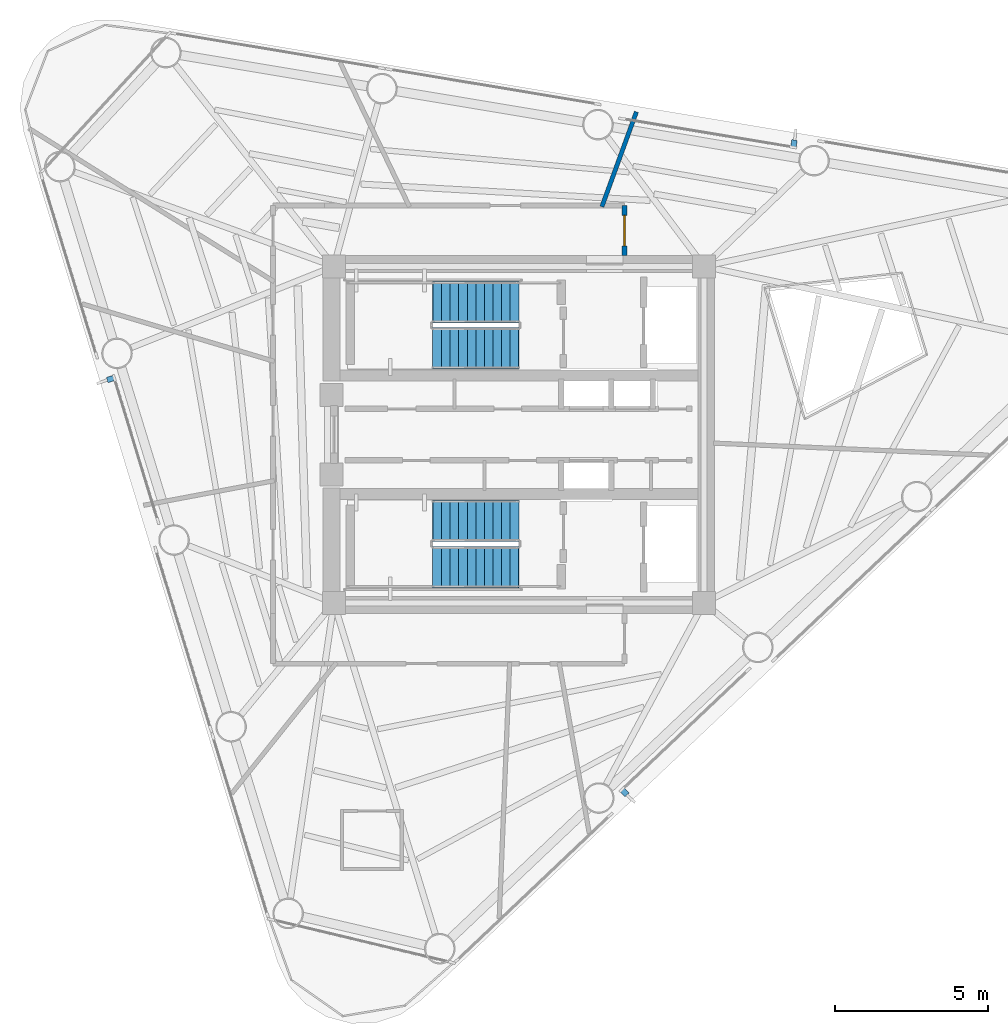
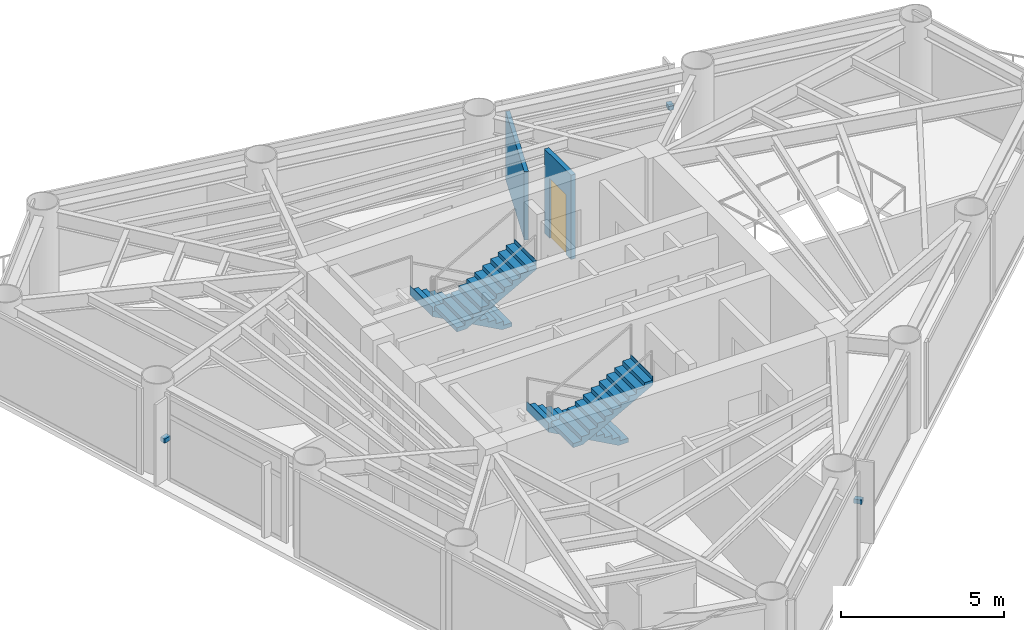
# One storey, part 7 of 9: 4 stair flights, 3 discrete accessories, 2 walls, 1 door, 1 opening, 2 elements without a shape of their own.
"""IFC4 building model written with IfcOpenShell, lengths in metres."""

import ifcopenshell
import ifcopenshell.guid

model = None  # the IFC model being written
_history = None  # IfcOwnerHistory: only IFC2X3 demands one
_inside = {}  # id of a spatial element -> (the spatial element, [elements in it])
_under = {}  # id of a project, library or spatial element -> (it, [spatial elements below it])
_declared = {}  # id of a project -> (the project, [libraries it declares])
_typed = {}  # id of a type object -> (the type object, [elements of that type])
_made_of = {}  # id of a material, layer set ... -> (it, [elements and type objects made of it])


def new_model(schema):
    """Start an empty IFC model of exactly this schema.

    Asked for "IFC4X3", IfcOpenShell would pick the latest addendum, in which some entities
    have other attributes; the version numbers below select the first issue.
    IFC2X3 requires an IfcOwnerHistory on every rooted entity: one is made here for all.
    """
    global model, _history
    if schema == "IFC4X3":
        model = ifcopenshell.file(schema_version=(4, 3, 0, 0))
    else:
        model = ifcopenshell.file(schema=schema)
    _inside.clear()
    _under.clear()
    _declared.clear()
    _typed.clear()
    _made_of.clear()
    _history = None
    if model.schema == "IFC2X3":
        org = make("IfcOrganization", Name="unknown")
        user = make(
            "IfcPersonAndOrganization",
            ThePerson=make("IfcPerson", FamilyName="unknown"),
            TheOrganization=org,
        )
        app = make(
            "IfcApplication",
            ApplicationDeveloper=org,
            Version="unknown",
            ApplicationFullName="unknown",
            ApplicationIdentifier="unknown",
        )
        _history = make(
            "IfcOwnerHistory",
            OwningUser=user,
            OwningApplication=app,
            ChangeAction="ADDED",
            CreationDate=0,
        )
    return model


def make(cls, **values):
    """One entity of the class cls with the attributes given. An attribute that is None is left unset."""
    return model.create_entity(
        cls, **{name: value for name, value in values.items() if value is not None}
    )


def rooted(cls, **values):
    """An entity with a GlobalId (a new one), such as an element, a storey or a relation."""
    return make(cls, GlobalId=ifcopenshell.guid.new(), OwnerHistory=_history, **values)


def si_unit(unit_type, name, prefix=None):
    """IfcSIUnit, for example si_unit("LENGTHUNIT", "METRE", prefix="MILLI")."""
    return make("IfcSIUnit", UnitType=unit_type, Prefix=prefix, Name=name)


def assignment(units):
    """IfcUnitAssignment: the units of a project."""
    return None if units is None else make("IfcUnitAssignment", Units=units)


def point(xyz):
    """IfcCartesianPoint."""
    return None if xyz is None else make("IfcCartesianPoint", Coordinates=xyz)


def direction(xyz):
    """IfcDirection."""
    return None if xyz is None else make("IfcDirection", DirectionRatios=xyz)


def frame(location, z_axis=None, x_axis=None):
    """IfcAxis2Placement3D, a coordinate frame: its origin and axes. An axis left out is left unset."""
    return make(
        "IfcAxis2Placement3D",
        Location=point(location),
        Axis=direction(z_axis),
        RefDirection=direction(x_axis),
    )


def frame_2d(location, x_axis=None):
    """IfcAxis2Placement2D, a coordinate frame in the plane: its origin and x axis."""
    return make(
        "IfcAxis2Placement2D", Location=point(location), RefDirection=direction(x_axis)
    )


def origin():
    """The frame at (0, 0, 0) with its axes left unset."""
    return frame((0.0, 0.0, 0.0))


def origin_2d():
    """The frame at (0, 0) in the plane with its x axis left unset."""
    return frame_2d((0.0, 0.0))


def place(relative_to, where):
    """IfcLocalPlacement: puts the frame where relative to a parent placement (None: the world)."""
    return make(
        "IfcLocalPlacement", PlacementRelTo=relative_to, RelativePlacement=where
    )


def context(
    kind, dimensions, precision=None, world=None, true_north=None, identifier=None
):
    """IfcGeometricRepresentationContext, for example the 3D "Model" context."""
    return make(
        "IfcGeometricRepresentationContext",
        ContextIdentifier=identifier,
        ContextType=kind,
        CoordinateSpaceDimension=dimensions,
        Precision=precision,
        WorldCoordinateSystem=world,
        TrueNorth=true_north,
    )


def subcontext(parent, identifier, kind, view, scale=None):
    """IfcGeometricRepresentationSubContext, for example "Body" below "Model"."""
    return make(
        "IfcGeometricRepresentationSubContext",
        ContextIdentifier=identifier,
        ContextType=kind,
        ParentContext=parent,
        TargetScale=scale,
        TargetView=view,
    )


def project(units=None, contexts=None):
    """IfcProject with its units and contexts."""
    return rooted(
        "IfcProject",
        Name="project",
        RepresentationContexts=contexts,
        UnitsInContext=assignment(units),
    )


def spatial(cls, under=None, at=None, **own):
    """A site, building, storey or space (cls), placed at a placement, below another one or the project."""
    s = rooted(cls, ObjectPlacement=at, **own)
    if under is not None:
        _under.setdefault(under.id(), (under, []))[1].append(s)
    return s


def polyline(points):
    """IfcPolyline through the points."""
    return make("IfcPolyline", Points=[point(p) for p in points])


def profile(cls, at=None, kind="AREA", **sizes):
    """A parametric profile (cls). Its sizes go by their IFC names, for example OverallWidth=200.0."""
    return make(cls, ProfileType=kind, Position=at, **sizes)


def rectangle(**sizes):
    """IfcRectangleProfileDef."""
    return profile("IfcRectangleProfileDef", **sizes)


def outline(outer, holes=None, kind="AREA"):
    """IfcArbitraryClosedProfileDef: a profile drawn as a closed curve; with holes, ...WithVoids."""
    if holes is None:
        return make("IfcArbitraryClosedProfileDef", ProfileType=kind, OuterCurve=outer)
    return make(
        "IfcArbitraryProfileDefWithVoids",
        ProfileType=kind,
        OuterCurve=outer,
        InnerCurves=holes,
    )


def extrude(swept, where, along, depth):
    """IfcExtrudedAreaSolid: the profile swept, set in the frame where, extruded along a direction by depth."""
    return make(
        "IfcExtrudedAreaSolid",
        SweptArea=swept,
        Position=where,
        ExtrudedDirection=direction(along),
        Depth=depth,
    )


def shape(context_of_items, identifier, shape_type, items):
    """IfcShapeRepresentation: the items that make up one representation, for example the "Body"."""
    return make(
        "IfcShapeRepresentation",
        ContextOfItems=context_of_items,
        RepresentationIdentifier=identifier,
        RepresentationType=shape_type,
        Items=items,
    )


def source(mapping_origin, context_of_items, identifier, shape_type, items):
    """IfcRepresentationMap: a shape defined once, which mapped items show again and again."""
    return make(
        "IfcRepresentationMap",
        MappingOrigin=mapping_origin,
        MappedRepresentation=shape(context_of_items, identifier, shape_type, items),
    )


def transform(
    local_origin,
    x_axis=None,
    y_axis=None,
    z_axis=None,
    scale=None,
    scale2=None,
    scale3=None,
    uniform=True,
):
    """IfcCartesianTransformationOperator3D, or its non-uniform kind. x_axis, y_axis, z_axis: its Axis1, 2, 3."""
    if uniform:
        return make(
            "IfcCartesianTransformationOperator3D",
            Axis1=direction(x_axis),
            Axis2=direction(y_axis),
            LocalOrigin=point(local_origin),
            Scale=scale,
            Axis3=direction(z_axis),
        )
    return make(
        "IfcCartesianTransformationOperator3DnonUniform",
        Axis1=direction(x_axis),
        Axis2=direction(y_axis),
        LocalOrigin=point(local_origin),
        Scale=scale,
        Axis3=direction(z_axis),
        Scale2=scale2,
        Scale3=scale3,
    )


def mapped(mapping_source, mapping_target):
    """IfcMappedItem: shows the shape of a source again, moved by a transform."""
    return make(
        "IfcMappedItem", MappingSource=mapping_source, MappingTarget=mapping_target
    )


def material(Name=None, Category=None):
    """IfcMaterial."""
    return make("IfcMaterial", Name=Name, Category=Category)


def layer(
    of_material, thickness, ventilated=None, Name=None, Category=None, Priority=None
):
    """IfcMaterialLayer: one layer of a wall or slab, of a material (None: an air gap)."""
    return make(
        "IfcMaterialLayer",
        Material=of_material,
        LayerThickness=thickness,
        IsVentilated=ventilated,
        Name=Name,
        Category=Category,
        Priority=Priority,
    )


def layer_set(layers, Name=None):
    """IfcMaterialLayerSet."""
    return make("IfcMaterialLayerSet", MaterialLayers=layers, LayerSetName=Name)


def made_of(thing, what):
    """Note that an element or type object is made of a material, layer set ...; save() writes the relation."""
    if what is not None:
        _made_of.setdefault(what.id(), (what, []))[1].append(thing)
    return thing


def type_object(cls, material=None, **own):
    """A type object (cls), such as IfcWallType, which elements share."""
    return made_of(rooted(cls, **own), material)


def element(
    cls,
    number,
    at=None,
    inside=None,
    cuts=None,
    type_object=None,
    material=None,
    context=None,
    identifier="Body",
    shape_type=None,
    held_by="IfcProductDefinitionShape",
    body=None,
    shapes=None,
    **own,
):
    """One element of the class cls, such as IfcWall. Its Tag is "e" and its number.

    at: its placement. inside: the storey or other place that contains it. cuts: it is an
    opening in that element (IfcRelVoidsElement). A single representation is given by context,
    identifier, shape_type and body (its items); several are given by shapes. held_by: the class
    of the entity that holds the representations. save() writes the other relations.
    """
    e = rooted(cls, Tag="e%d" % number, ObjectPlacement=at, **own)
    if body is not None:
        shapes = [shape(context, identifier, shape_type, body)]
    if shapes is not None:
        e.Representation = make(held_by, Representations=shapes)
    if inside is not None:
        _inside.setdefault(inside.id(), (inside, []))[1].append(e)
    if cuts is not None:
        rooted(
            "IfcRelVoidsElement", RelatingBuildingElement=cuts, RelatedOpeningElement=e
        )
    if type_object is not None:
        _typed.setdefault(type_object.id(), (type_object, []))[1].append(e)
    return made_of(e, material)


def fill(opening, filler):
    """IfcRelFillsElement: the door or window that sits in an opening."""
    return rooted(
        "IfcRelFillsElement",
        RelatingOpeningElement=opening,
        RelatedBuildingElement=filler,
    )


def aggregate(whole, parts):
    """IfcRelAggregates: a whole, such as a stair, and the parts it consists of."""
    return rooted("IfcRelAggregates", RelatingObject=whole, RelatedObjects=parts)


def save(model, path):
    """Write the relations noted so far, then the file.

    IfcRelAggregates (storeys below a building ...), IfcRelContainedInSpatialStructure (elements
    in a storey), IfcRelDefinesByType, IfcRelAssociatesMaterial and IfcRelDeclares: one each for
    every whole, place, type object, material and project.
    """
    for whole, parts in _under.values():
        aggregate(whole, parts)
    for where, things in _inside.values():
        rooted(
            "IfcRelContainedInSpatialStructure",
            RelatedElements=things,
            RelatingStructure=where,
        )
    for kind, things in _typed.values():
        rooted("IfcRelDefinesByType", RelatedObjects=things, RelatingType=kind)
    for what, things in _made_of.values():
        rooted("IfcRelAssociatesMaterial", RelatedObjects=things, RelatingMaterial=what)
    for by, libraries in _declared.values():
        rooted("IfcRelDeclares", RelatingContext=by, RelatedDefinitions=libraries)
    model.write(path)


model = new_model("IFC4")

# Units and contexts
model_context = context("Model", 3, precision=1e-05, world=origin(), true_north=direction((0.0, 1.0)))
body_context = subcontext(model_context, "Body", "Model", "MODEL_VIEW")
ifc_project = project(units=[si_unit("LENGTHUNIT", "METRE"), si_unit("AREAUNIT", "SQUARE_METRE"), si_unit("VOLUMEUNIT", "CUBIC_METRE"), si_unit("PLANEANGLEUNIT", "RADIAN"), si_unit("MASSUNIT", "GRAM", prefix="KILO")], contexts=[model_context])

# Site, building, storey
site_placement = place(None, origin())
site = spatial("IfcSite", under=ifc_project, at=site_placement, CompositionType="ELEMENT")
building_placement = place(site_placement, origin())
building = spatial("IfcBuilding", under=site, at=building_placement, Name="Yunling Apex Tower", CompositionType="ELEMENT")
storey_placement = place(building_placement, frame((0.0, 0.0, 249.050048828125)))
storey = spatial("IfcBuildingStorey", under=building, at=storey_placement, Name="L61", CompositionType="ELEMENT", Elevation=249.050048828125)

# Wall, opening, door
ifc_material_1 = material(Name="Gypsum board acoustic partition")
ifc_layer_1 = layer(ifc_material_1, 0.159912109375)
ifc_layer_set_1 = layer_set([ifc_layer_1], Name="Gypsum board acoustic partition")
wall_type_1 = type_object("IfcWallType", Name="WL-PRT-1", PredefinedType="PARTITIONING", material=ifc_layer_set_1)
wall_1_placement = place(storey_placement, frame((3.449951171875, 7.489990234375, 0.0), z_axis=(0.0, 0.0, 1.0), x_axis=(0.0, -1.0, 0.0)))
wall_1 = element("IfcWall", 1, at=wall_1_placement, inside=storey, type_object=wall_type_1, Name="WL-CORR-L61-04", PredefinedType="PARTITIONING", context=body_context, shape_type="SweptSolid", body=[
    extrude(rectangle(XDim=1.639892578125, YDim=0.159912109375, at=frame_2d((0.81982421875, 0.0))), origin(), (0.0, 0.0, 1.0), 3.159912109375),
])
opening_placement = place(wall_1_placement, frame((0.320068359375, 0.0, 0.0)))
opening = element("IfcOpeningElement", 2, at=opening_placement, cuts=wall_1, Name="Opening DR-OFF-1", PredefinedType="OPENING", context=body_context, shape_type="SweptSolid", body=[
    extrude(rectangle(XDim=1.0, YDim=2.25, at=frame_2d((0.5, 1.125))), frame((0.0, 0.08984375, 0.0), z_axis=(0.0, -1.0, 0.0), x_axis=(1.0, 0.0, 0.0)), (0.0, 0.0, 1.0), 0.179931640625),
])
ifc_material_2 = material(Name="Bronze anodised aluminium", Category="aluminium")
door_type = type_object("IfcDoorType", Name="DR-OFF-1", OperationType="NOTDEFINED", PredefinedType="DOOR", material=ifc_material_2)
door_placement = place(opening_placement, origin())
door = element("IfcDoor", 3, at=door_placement, inside=storey, type_object=door_type, Name="L61 Residents Quiet Study Lounge Door", OperationType="SINGLE_SWING_RIGHT", OverallHeight=2.25, OverallWidth=1.0, PredefinedType="DOOR", context=body_context, shape_type="SweptSolid", body=[
    extrude(rectangle(XDim=1.0, YDim=2.25, at=frame_2d((0.5, 1.125))), frame((0.0, 0.02490234375, 0.0), z_axis=(0.0, -1.0, 0.0), x_axis=(1.0, 0.0, 0.0)), (0.0, 0.0, 1.0), 0.050048828125),
])
fill(opening, door)

# Wall
ifc_layer_2 = layer(ifc_material_1, 0.139892578125)
ifc_layer_set_2 = layer_set([ifc_layer_2], Name="Gypsum board acoustic partition")
wall_type_2 = type_object("IfcWallType", Name="WL-PRT-2", PredefinedType="PARTITIONING", material=ifc_layer_set_2)
wall_2_placement = place(storey_placement, frame((2.711669921875, 7.449951171875, 0.0), z_axis=(0.0, 0.0, 1.0), x_axis=(0.341974588874, 0.9397092, 0.0)))
element("IfcWall", 4, at=wall_2_placement, inside=storey, type_object=wall_type_2, Name="WL-RAD-L61-02", PredefinedType="PARTITIONING", context=body_context, shape_type="SweptSolid", body=[
    extrude(rectangle(XDim=3.3017578125, YDim=0.139892578125, at=frame_2d((1.65087890625, 0.0))), origin(), (0.0, 0.0, 1.0), 2.56494140625),
])

# Stair, stair flights
ifc_material_3 = material(Name="Concrete C40", Category="concrete")
stair_type = type_object("IfcStairType", Name="ST-TWR-3", PredefinedType="HALF_TURN_STAIR", material=ifc_material_3)
stair_1_placement = place(storey_placement, origin())
stair_1 = element("IfcStair", 5, at=stair_1_placement, inside=storey, type_object=stair_type, Name="L61 North Core Smokeproof Exit Stair ST-1", PredefinedType="HALF_TURN_STAIR")
stair_flight_type = type_object("IfcStairFlightType", Name="SFL-TWR-3", PredefinedType="STRAIGHT", material=ifc_material_3)
stair_flight_1_placement = place(storey_placement, frame((-0.010009765625, 4.330078125, 0.0), z_axis=(0.0, 0.0, 1.0), x_axis=(-1.0, 0.0, 0.0)))
stair_flight_1 = element("IfcStairFlight", 6, at=stair_flight_1_placement, type_object=stair_flight_type, Name="ST-1 flight 1", NumberOfRisers=11, NumberOfTreads=10, PredefinedType="STRAIGHT", RiserHeight=0.154545455, TreadLength=0.28, context=body_context, shape_type="SweptSolid", body=[
    extrude(outline(polyline([(-0.011962890625, 0.0), (-0.011962890625, 0.154541015625), (0.0, 0.154541015625), (0.280029296875, 0.154541015625), (0.280029296875, 0.30908203125), (0.56005859375, 0.30908203125), (0.56005859375, 0.463623046875), (0.840087890625, 0.463623046875), (0.840087890625, 0.6181640625), (1.1201171875, 0.6181640625), (1.1201171875, 0.772705078125), (1.39990234375, 0.772705078125), (1.39990234375, 0.92724609375), (1.679931640625, 0.92724609375), (1.679931640625, 1.081787109375), (1.9599609375, 1.081787109375), (1.9599609375, 1.236328125), (2.239990234375, 1.236328125), (2.239990234375, 1.390869140625), (2.52001953125, 1.390869140625), (2.52001953125, 1.54541015625), (2.800048828125, 1.54541015625), (2.800048828125, 1.699951171875), (2.81201171875, 1.699951171875), (2.81201171875, 1.36279296875), (0.330810546875, 0.0), (-0.011962890625, 0.0)])), frame((0.0, 0.68017578125, 0.0), z_axis=(0.0, -1.0, 0.0), x_axis=(1.0, 0.0, 0.0)), (0.0, 0.0, 1.0), 1.360107421875),
])
stair_flight_2_placement = place(storey_placement, frame((-2.81005859375, 2.820068359375, 1.699951171875), z_axis=(0.0, 0.0, 1.0), x_axis=(1.0, 0.0, 0.0)))
stair_flight_2 = element("IfcStairFlight", 7, at=stair_flight_2_placement, type_object=stair_flight_type, Name="ST-1 flight 2", NumberOfRisers=11, NumberOfTreads=10, PredefinedType="STRAIGHT", RiserHeight=0.154545455, TreadLength=0.28, context=body_context, shape_type="SweptSolid", body=[
    extrude(outline(polyline([(-0.011962890625, 0.0), (-0.011962890625, 0.154541015625), (0.0, 0.154541015625), (0.280029296875, 0.154541015625), (0.280029296875, 0.30908203125), (0.56005859375, 0.30908203125), (0.56005859375, 0.463623046875), (0.840087890625, 0.463623046875), (0.840087890625, 0.6181640625), (1.1201171875, 0.6181640625), (1.1201171875, 0.772705078125), (1.39990234375, 0.772705078125), (1.39990234375, 0.92724609375), (1.679931640625, 0.92724609375), (1.679931640625, 1.081787109375), (1.9599609375, 1.081787109375), (1.9599609375, 1.236328125), (2.239990234375, 1.236328125), (2.239990234375, 1.390869140625), (2.52001953125, 1.390869140625), (2.52001953125, 1.54541015625), (2.800048828125, 1.54541015625), (2.800048828125, 1.699951171875), (2.81201171875, 1.699951171875), (2.81201171875, 1.36279296875), (0.330810546875, 0.0), (-0.011962890625, 0.0)])), frame((0.0, 0.68017578125, 0.0), z_axis=(0.0, -1.0, 0.0), x_axis=(1.0, 0.0, 0.0)), (0.0, 0.0, 1.0), 1.360107421875),
])
aggregate(stair_1, [stair_flight_1, stair_flight_2])

stair_2_placement = place(storey_placement, origin())
stair_2 = element("IfcStair", 8, at=stair_2_placement, inside=storey, type_object=stair_type, Name="L61 South Core Smokeproof Exit Stair ST-2", PredefinedType="HALF_TURN_STAIR")
stair_flight_3_placement = place(storey_placement, frame((-0.010009765625, -2.820068359375, 0.0), z_axis=(0.0, 0.0, 1.0), x_axis=(-1.0, 0.0, 0.0)))
stair_flight_3 = element("IfcStairFlight", 9, at=stair_flight_3_placement, type_object=stair_flight_type, Name="ST-2 flight 1", NumberOfRisers=11, NumberOfTreads=10, PredefinedType="STRAIGHT", RiserHeight=0.154545455, TreadLength=0.28, context=body_context, shape_type="SweptSolid", body=[
    extrude(outline(polyline([(-0.011962890625, 0.0), (-0.011962890625, 0.154541015625), (0.0, 0.154541015625), (0.280029296875, 0.154541015625), (0.280029296875, 0.30908203125), (0.56005859375, 0.30908203125), (0.56005859375, 0.463623046875), (0.840087890625, 0.463623046875), (0.840087890625, 0.6181640625), (1.1201171875, 0.6181640625), (1.1201171875, 0.772705078125), (1.39990234375, 0.772705078125), (1.39990234375, 0.92724609375), (1.679931640625, 0.92724609375), (1.679931640625, 1.081787109375), (1.9599609375, 1.081787109375), (1.9599609375, 1.236328125), (2.239990234375, 1.236328125), (2.239990234375, 1.390869140625), (2.52001953125, 1.390869140625), (2.52001953125, 1.54541015625), (2.800048828125, 1.54541015625), (2.800048828125, 1.699951171875), (2.81201171875, 1.699951171875), (2.81201171875, 1.36279296875), (0.330810546875, 0.0), (-0.011962890625, 0.0)])), frame((0.0, 0.68017578125, 0.0), z_axis=(0.0, -1.0, 0.0), x_axis=(1.0, 0.0, 0.0)), (0.0, 0.0, 1.0), 1.360107421875),
])
stair_flight_4_placement = place(storey_placement, frame((-2.81005859375, -4.330078125, 1.699951171875), z_axis=(0.0, 0.0, 1.0), x_axis=(1.0, 0.0, 0.0)))
stair_flight_4 = element("IfcStairFlight", 10, at=stair_flight_4_placement, type_object=stair_flight_type, Name="ST-2 flight 2", NumberOfRisers=11, NumberOfTreads=10, PredefinedType="STRAIGHT", RiserHeight=0.154545455, TreadLength=0.28, context=body_context, shape_type="SweptSolid", body=[
    extrude(outline(polyline([(-0.011962890625, 0.0), (-0.011962890625, 0.154541015625), (0.0, 0.154541015625), (0.280029296875, 0.154541015625), (0.280029296875, 0.30908203125), (0.56005859375, 0.30908203125), (0.56005859375, 0.463623046875), (0.840087890625, 0.463623046875), (0.840087890625, 0.6181640625), (1.1201171875, 0.6181640625), (1.1201171875, 0.772705078125), (1.39990234375, 0.772705078125), (1.39990234375, 0.92724609375), (1.679931640625, 0.92724609375), (1.679931640625, 1.081787109375), (1.9599609375, 1.081787109375), (1.9599609375, 1.236328125), (2.239990234375, 1.236328125), (2.239990234375, 1.390869140625), (2.52001953125, 1.390869140625), (2.52001953125, 1.54541015625), (2.800048828125, 1.54541015625), (2.800048828125, 1.699951171875), (2.81201171875, 1.699951171875), (2.81201171875, 1.36279296875), (0.330810546875, 0.0), (-0.011962890625, 0.0)])), frame((0.0, 0.68017578125, 0.0), z_axis=(0.0, -1.0, 0.0), x_axis=(1.0, 0.0, 0.0)), (0.0, 0.0, 1.0), 1.360107421875),
])
aggregate(stair_2, [stair_flight_3, stair_flight_4])

# Discrete accessories
ifc_material_4 = material(Name="Steel Q355B", Category="steel")
discrete_accessory_type = type_object("IfcDiscreteAccessoryType", Name="BK-FIN-1", PredefinedType="BRACKET", material=ifc_material_4)
shared_shape = source(origin(), body_context, "Body", "SweptSolid", [
    extrude(rectangle(XDim=0.179931640625, YDim=0.260009765625, at=origin_2d()), origin(), (0.0, 0.0, 1.0), 0.159912109375),
])
for number, where, z_axis, x_axis, name in (
    (11, (3.443603515625, -11.68505859375, 1.509765625), (0.0, 0.0, 1.0), (0.725854756355, 0.687848001144, 0.0), "CW-L61-F1-B2-BRK-01-1"),
    (12, (8.989013671875, 9.502197265625, 1.509765625), (0.0, 0.0, 1.0), (-0.986400586142, 0.164359008451, 0.0), "CW-L61-F2-B2-BRK-01-1"),
    (13, (-13.33642578125, 1.822265625, 1.509765625), (0.0, 0.0, 1.0), (0.292371704723, -0.956304755963, 0.0), "CW-L61-F3-B2-BRK-01-1"),
):
    element("IfcDiscreteAccessory", number, at=place(storey_placement, frame(where, z_axis=z_axis, x_axis=x_axis)), inside=storey, type_object=discrete_accessory_type, Name=name, PredefinedType="BRACKET", context=body_context, shape_type="MappedRepresentation", body=[
        mapped(shared_shape, transform((0.0, 0.0, 0.0), scale=1.0)),
    ])

save(model, "model.ifc")
